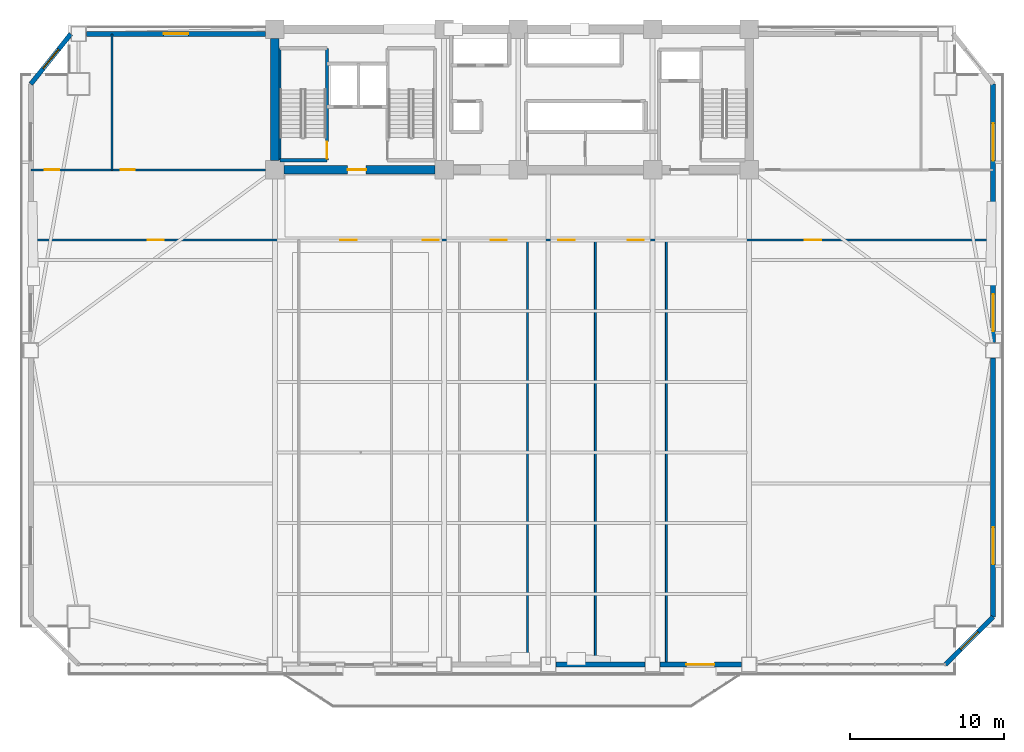
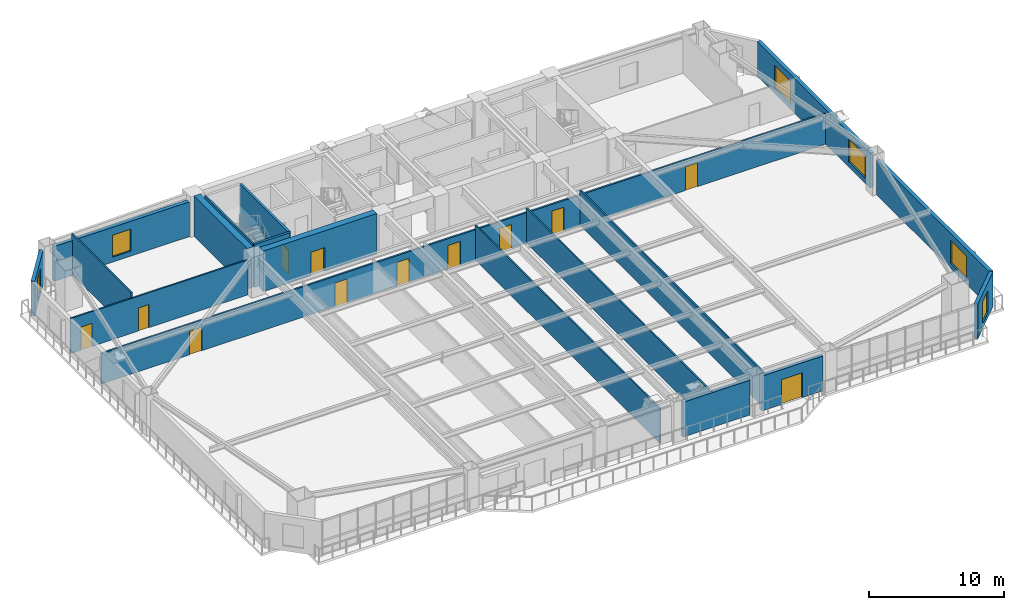
# One storey, part 8 of 16: 18 walls, 12 doors, 6 windows, 18 openings.
"""IFC4 building model written with IfcOpenShell, lengths in metres."""

from ifc_helpers import new_model, si_unit, direction, frame, frame_2d, origin, place, context, subcontext, project, spatial, rectangle, extrude, source, transform, mapped, material, layer, layer_set, type_object, element, fill, save


model = new_model("IFC4")

# Units and contexts
model_context = context("Model", 3, precision=1e-05, world=origin(), true_north=direction((0.0, 1.0)))
body_context = subcontext(model_context, "Body", "Model", "MODEL_VIEW")
ifc_project = project(units=[si_unit("LENGTHUNIT", "METRE"), si_unit("AREAUNIT", "SQUARE_METRE"), si_unit("VOLUMEUNIT", "CUBIC_METRE"), si_unit("PLANEANGLEUNIT", "RADIAN"), si_unit("MASSUNIT", "GRAM", prefix="KILO")], contexts=[model_context])

# Site, building, storey
site_placement = place(None, origin())
site = spatial("IfcSite", under=ifc_project, at=site_placement, CompositionType="ELEMENT")
building_placement = place(site_placement, origin())
building = spatial("IfcBuilding", under=site, at=building_placement, Name="Giltprow Tower", CompositionType="ELEMENT")
storey_placement = place(building_placement, frame((0.0, 0.0, 79.60009765625)))
storey = spatial("IfcBuildingStorey", under=building, at=storey_placement, Name="L19", CompositionType="ELEMENT", Elevation=79.60009765625)

# Wall, opening, window
ifc_material_1 = material(Name="Precast concrete C40", Category="concrete")
ifc_layer_1 = layer(ifc_material_1, 0.300048828125, Name="Precast concrete C40")
ifc_layer_set_1 = layer_set([ifc_layer_1], Name="Precast concrete C40")
wall_type_1 = type_object("IfcWallType", Name="EW-NOTCH-CHAMFER-300", PredefinedType="SOLIDWALL", material=ifc_layer_set_1)
wall_1_placement = place(storey_placement, frame((63.264892578125, 5.408935546875, 0.0), z_axis=(0.0, 0.0, 1.0), x_axis=(0.707134660098, 0.707078901175, 0.0)))
wall_1 = element("IfcWall", 1, at=wall_1_placement, inside=storey, type_object=wall_type_1, Name="L19 Corner Notch Wall SE", PredefinedType="SOLIDWALL", context=body_context, shape_type="SweptSolid", body=[
    extrude(rectangle(XDim=4.37841796875, YDim=0.300048828125, at=frame_2d((2.189208984375, 0.0))), origin(), (0.0, 0.0, 1.0), 3.159912109375),
])
opening_1_placement = place(wall_1_placement, frame((1.388916015625, 0.0, 0.449951171875)))
opening_1 = element("IfcOpeningElement", 2, at=opening_1_placement, cuts=wall_1, Name="Opening WN17", PredefinedType="OPENING", context=body_context, shape_type="SweptSolid", body=[
    extrude(rectangle(XDim=1.60009765625, YDim=2.0, at=frame_2d((0.800048828125, 1.0))), frame((0.0, 0.159912109375, 0.0), z_axis=(0.0, -1.0, 0.0), x_axis=(1.0, 0.0, 0.0)), (0.0, 0.0, 1.0), 0.320068359375),
])
ifc_material_2 = material(Name="Insulated glass", Category="glass")
window_type_1 = type_object("IfcWindowType", Name="WN-COR-1600x2000", PartitioningType="SINGLE_PANEL", PredefinedType="WINDOW", material=ifc_material_2)
shared_shape_1 = source(origin(), body_context, "Body", "SweptSolid", [
    extrude(rectangle(XDim=1.60009765625, YDim=2.0, at=frame_2d((0.800048828125, 1.0))), frame((0.0, 0.030029296875, 0.0), z_axis=(0.0, -1.0, 0.0), x_axis=(1.0, 0.0, 0.0)), (0.0, 0.0, 1.0), 0.06005859375),
])
window_1_placement = place(opening_1_placement, origin())
window_1 = element("IfcWindow", 3, at=window_1_placement, inside=storey, type_object=window_type_1, Name="L19 Corner Notch Window SE", OverallHeight=2.0, OverallWidth=1.60009765625, PartitioningType="SINGLE_PANEL", PredefinedType="WINDOW", context=body_context, shape_type="MappedRepresentation", body=[
    mapped(shared_shape_1, transform((0.0, 0.0, 0.0), x_axis=(1.0, 0.0, 0.0), y_axis=(0.0, 1.0, 0.0), z_axis=(0.0, 0.0, 1.0), scale=1.0)),
])
fill(opening_1, window_1)

wall_2_placement = place(storey_placement, frame((6.635986328125, 46.25, 0.0), z_axis=(0.0, 0.0, 1.0), x_axis=(-0.624558938305, -0.780977677391, 0.0)))
wall_2 = element("IfcWall", 4, at=wall_2_placement, inside=storey, type_object=wall_type_1, Name="L19 Corner Notch Wall NW", PredefinedType="SOLIDWALL", context=body_context, shape_type="SweptSolid", body=[
    extrude(rectangle(XDim=4.156494140625, YDim=0.300048828125, at=frame_2d((2.078125, 0.0))), origin(), (0.0, 0.0, 1.0), 3.159912109375),
])
opening_2_placement = place(wall_2_placement, frame((1.278076171875, 0.0, 0.449951171875)))
opening_2 = element("IfcOpeningElement", 5, at=opening_2_placement, cuts=wall_2, Name="Opening WN17", PredefinedType="OPENING", context=body_context, shape_type="SweptSolid", body=[
    extrude(rectangle(XDim=1.60009765625, YDim=2.0, at=frame_2d((0.800048828125, 1.0))), frame((0.0, 0.159912109375, 0.0), z_axis=(0.0, -1.0, 0.0), x_axis=(1.0, 0.0, 0.0)), (0.0, 0.0, 1.0), 0.320068359375),
])
window_2_placement = place(opening_2_placement, origin())
window_2 = element("IfcWindow", 6, at=window_2_placement, inside=storey, type_object=window_type_1, Name="L19 Corner Notch Window NW", OverallHeight=2.0, OverallWidth=1.60009765625, PartitioningType="SINGLE_PANEL", PredefinedType="WINDOW", context=body_context, shape_type="MappedRepresentation", body=[
    mapped(shared_shape_1, transform((0.0, 0.0, 0.0), x_axis=(1.0, 0.0, 0.0), y_axis=(0.0, 1.0, 0.0), z_axis=(0.0, 0.0, 1.0), scale=1.0)),
])
fill(opening_2, window_2)

# Wall
ifc_layer_2 = layer(ifc_material_1, 0.320068359375, Name="Precast concrete C40")
ifc_layer_set_2 = layer_set([ifc_layer_2], Name="Precast concrete C40")
wall_type_2 = type_object("IfcWallType", Name="EW-TOW-STONE-320", PredefinedType="SOLIDWALL", material=ifc_layer_set_2)
wall_3_placement = place(storey_placement, frame((38.050048828125, 5.408935546875, 0.0), z_axis=(0.0, 0.0, 1.0), x_axis=(1.0, 0.0, 0.0)))
element("IfcWall", 7, at=wall_3_placement, inside=storey, type_object=wall_type_2, Name="L19 South Expressed Frame Wall 4", PredefinedType="SOLIDWALL", context=body_context, shape_type="SweptSolid", body=[
    extrude(rectangle(XDim=5.75, YDim=0.320068359375, at=frame_2d((2.875, 0.0))), origin(), (0.0, 0.0, 1.0), 3.159912109375),
])

# Wall, opening, door
wall_4_placement = place(storey_placement, frame((44.800048828125, 5.408935546875, 0.0), z_axis=(0.0, 0.0, 1.0), x_axis=(1.0, 0.0, 0.0)))
wall_4 = element("IfcWall", 8, at=wall_4_placement, inside=storey, type_object=wall_type_2, Name="L19 South Expressed Frame Wall 5", PredefinedType="SOLIDWALL", context=body_context, shape_type="SweptSolid", body=[
    extrude(rectangle(XDim=5.25, YDim=0.320068359375, at=frame_2d((2.625, 0.0))), origin(), (0.0, 0.0, 1.0), 3.159912109375),
])
opening_3_placement = place(wall_4_placement, frame((1.699951171875, 0.0, 0.0)))
opening_3 = element("IfcOpeningElement", 9, at=opening_3_placement, cuts=wall_4, Name="Opening ED25", PredefinedType="OPENING", context=body_context, shape_type="SweptSolid", body=[
    extrude(rectangle(XDim=1.800048828125, YDim=2.25, at=frame_2d((0.89990234375, 1.125))), frame((0.0, 0.169921875, 0.0), z_axis=(0.0, -1.0, 0.0), x_axis=(1.0, 0.0, 0.0)), (0.0, 0.0, 1.0), 0.340087890625),
])
ifc_material_3 = material(Name="Anodized bronze and glass", Category="glass")
door_type_1 = type_object("IfcDoorType", Name="DR-BALC-SLIDE-1800", OperationType="SLIDING_TO_LEFT", PredefinedType="DOOR", material=ifc_material_3)
shared_shape_2 = source(origin(), body_context, "Body", "SweptSolid", [
    extrude(rectangle(XDim=1.800048828125, YDim=2.25, at=frame_2d((0.89990234375, 1.125))), frame((0.0, 0.02490234375, 0.0), z_axis=(0.0, -1.0, 0.0), x_axis=(1.0, 0.0, 0.0)), (0.0, 0.0, 1.0), 0.050048828125),
])
door_1_placement = place(opening_3_placement, origin())
door_1 = element("IfcDoor", 10, at=door_1_placement, inside=storey, type_object=door_type_1, Name="L19 Waterfront Balcony Sliding Door 2", OperationType="SLIDING_TO_LEFT", OverallHeight=2.25, OverallWidth=1.800048828125, PredefinedType="DOOR", context=body_context, shape_type="MappedRepresentation", body=[
    mapped(shared_shape_2, transform((0.0, 0.0, 0.0), x_axis=(1.0, 0.0, 0.0), y_axis=(0.0, 1.0, 0.0), z_axis=(0.0, 0.0, 1.0), scale=1.0)),
])
fill(opening_3, door_1)

# Wall, opening, window
wall_5_placement = place(storey_placement, frame((66.361083984375, 8.5048828125, 0.0), z_axis=(0.0, 0.0, 1.0), x_axis=(0.0, 1.0, 0.0)))
wall_5 = element("IfcWall", 11, at=wall_5_placement, inside=storey, type_object=wall_type_2, Name="L19 E Wing Masonry Wall 1", PredefinedType="SOLIDWALL", context=body_context, shape_type="SweptSolid", body=[
    extrude(rectangle(XDim=16.75, YDim=0.320068359375, at=frame_2d((8.375, 0.0))), origin(), (0.0, 0.0, 1.0), 3.159912109375),
])
opening_4_placement = place(wall_5_placement, frame((3.39501953125, 0.0, 0.449951171875)))
opening_4 = element("IfcOpeningElement", 12, at=opening_4_placement, cuts=wall_5, Name="Opening WN29", PredefinedType="OPENING", context=body_context, shape_type="SweptSolid", body=[
    extrude(rectangle(XDim=2.39990234375, YDim=2.10009765625, at=frame_2d((1.199951171875, 1.050048828125))), frame((0.0, 0.169921875, 0.0), z_axis=(0.0, -1.0, 0.0), x_axis=(1.0, 0.0, 0.0)), (0.0, 0.0, 1.0), 0.340087890625),
])
window_type_2 = type_object("IfcWindowType", Name="WN-OFF-2400x2100", PartitioningType="DOUBLE_PANEL_VERTICAL", PredefinedType="WINDOW", material=ifc_material_2)
shared_shape_3 = source(origin(), body_context, "Body", "SweptSolid", [
    extrude(rectangle(XDim=2.39990234375, YDim=2.10009765625, at=frame_2d((1.199951171875, 1.050048828125))), frame((0.0, 0.030029296875, 0.0), z_axis=(0.0, -1.0, 0.0), x_axis=(1.0, 0.0, 0.0)), (0.0, 0.0, 1.0), 0.06005859375),
])
window_3_placement = place(opening_4_placement, origin())
window_3 = element("IfcWindow", 13, at=window_3_placement, inside=storey, type_object=window_type_2, Name="L19 E Wing Window 1-1A", OverallHeight=2.10009765625, OverallWidth=2.39990234375, PartitioningType="SINGLE_PANEL", PredefinedType="WINDOW", context=body_context, shape_type="MappedRepresentation", body=[
    mapped(shared_shape_3, transform((0.0, 0.0, 0.0), x_axis=(1.0, 0.0, 0.0), y_axis=(0.0, 1.0, 0.0), z_axis=(0.0, 0.0, 1.0), scale=1.0)),
])
fill(opening_4, window_3)

# Wall, openings, windows
wall_6_placement = place(storey_placement, frame((66.361083984375, 26.2548828125, 0.0), z_axis=(0.0, 0.0, 1.0), x_axis=(0.0, 1.0, 0.0)))
wall_6 = element("IfcWall", 14, at=wall_6_placement, inside=storey, type_object=wall_type_2, Name="L19 E Wing Masonry Wall 2", PredefinedType="SOLIDWALL", context=body_context, shape_type="SweptSolid", body=[
    extrude(rectangle(XDim=16.7490234375, YDim=0.320068359375, at=frame_2d((8.37451171875, 0.0))), origin(), (0.0, 0.0, 1.0), 3.159912109375),
])
opening_5_placement = place(wall_6_placement, frame((0.75, 0.0, 0.449951171875)))
opening_5 = element("IfcOpeningElement", 15, at=opening_5_placement, cuts=wall_6, Name="Opening WN29", PredefinedType="OPENING", context=body_context, shape_type="SweptSolid", body=[
    extrude(rectangle(XDim=2.39990234375, YDim=2.10009765625, at=frame_2d((1.199951171875, 1.050048828125))), frame((0.0, 0.169921875, 0.0), z_axis=(0.0, -1.0, 0.0), x_axis=(1.0, 0.0, 0.0)), (0.0, 0.0, 1.0), 0.340087890625),
])
opening_6_placement = place(wall_6_placement, frame((11.79296875, 0.0, 0.449951171875)))
opening_6 = element("IfcOpeningElement", 16, at=opening_6_placement, cuts=wall_6, Name="Opening WN29", PredefinedType="OPENING", context=body_context, shape_type="SweptSolid", body=[
    extrude(rectangle(XDim=2.39990234375, YDim=2.10009765625, at=frame_2d((1.199951171875, 1.050048828125))), frame((0.0, 0.169921875, 0.0), z_axis=(0.0, -1.0, 0.0), x_axis=(1.0, 0.0, 0.0)), (0.0, 0.0, 1.0), 0.340087890625),
])
window_4_placement = place(opening_5_placement, origin())
window_4 = element("IfcWindow", 17, at=window_4_placement, inside=storey, type_object=window_type_2, Name="L19 E Wing Window 2-1", OverallHeight=2.10009765625, OverallWidth=2.39990234375, PartitioningType="SINGLE_PANEL", PredefinedType="WINDOW", context=body_context, shape_type="MappedRepresentation", body=[
    mapped(shared_shape_3, transform((0.0, 0.0, 0.0), x_axis=(1.0, 0.0, 0.0), y_axis=(0.0, 1.0, 0.0), z_axis=(0.0, 0.0, 1.0), scale=1.0)),
])
fill(opening_5, window_4)
window_5_placement = place(opening_6_placement, origin())
window_5 = element("IfcWindow", 18, at=window_5_placement, inside=storey, type_object=window_type_2, Name="L19 E Wing Window 2-2", OverallHeight=2.10009765625, OverallWidth=2.39990234375, PartitioningType="SINGLE_PANEL", PredefinedType="WINDOW", context=body_context, shape_type="MappedRepresentation", body=[
    mapped(shared_shape_3, transform((0.0, 0.0, 0.0), x_axis=(1.0, 0.0, 0.0), y_axis=(0.0, 1.0, 0.0), z_axis=(0.0, 0.0, 1.0), scale=1.0)),
])
fill(opening_6, window_5)

# Wall, opening, window
wall_7_placement = place(storey_placement, frame((7.635986328125, 46.25, 0.0), z_axis=(0.0, 0.0, 1.0), x_axis=(1.0, 0.0, 0.0)))
wall_7 = element("IfcWall", 19, at=wall_7_placement, inside=storey, type_object=wall_type_2, Name="L19 North-West Wing Wall", PredefinedType="SOLIDWALL", context=body_context, shape_type="SweptSolid", body=[
    extrude(rectangle(XDim=11.614013671875, YDim=0.320068359375, at=frame_2d((5.80712890625, 0.0))), origin(), (0.0, 0.0, 1.0), 3.159912109375),
])
opening_7_placement = place(wall_7_placement, frame((5.007080078125, 0.0, 0.449951171875)))
opening_7 = element("IfcOpeningElement", 20, at=opening_7_placement, cuts=wall_7, Name="Opening WN17", PredefinedType="OPENING", context=body_context, shape_type="SweptSolid", body=[
    extrude(rectangle(XDim=1.60009765625, YDim=2.0, at=frame_2d((0.800048828125, 1.0))), frame((0.0, 0.169921875, 0.0), z_axis=(0.0, -1.0, 0.0), x_axis=(1.0, 0.0, 0.0)), (0.0, 0.0, 1.0), 0.340087890625),
])
window_6_placement = place(opening_7_placement, origin())
window_6 = element("IfcWindow", 21, at=window_6_placement, inside=storey, type_object=window_type_1, Name="L19 North-West Window", OverallHeight=2.0, OverallWidth=1.60009765625, PartitioningType="SINGLE_PANEL", PredefinedType="WINDOW", context=body_context, shape_type="MappedRepresentation", body=[
    mapped(shared_shape_1, transform((0.0, 0.0, 0.0), x_axis=(1.0, 0.0, 0.0), y_axis=(0.0, 1.0, 0.0), z_axis=(0.0, 0.0, 1.0), scale=1.0)),
])
fill(opening_7, window_6)

# Wall, openings, doors
ifc_material_4 = material(Name="Gypsum stud partition", Category="gypsum")
ifc_layer_3 = layer(ifc_material_4, 0.14990234375, Name="Gypsum stud partition")
ifc_layer_set_3 = layer_set([ifc_layer_3], Name="Gypsum stud partition")
wall_type_3 = type_object("IfcWallType", Name="IW-CORR-150", PredefinedType="PARTITIONING", material=ifc_layer_set_3)
wall_8_placement = place(storey_placement, frame((4.0400390625, 32.89990234375, 0.0), z_axis=(0.0, 0.0, 1.0), x_axis=(1.0, 0.0, 0.0)))
wall_8 = element("IfcWall", 22, at=wall_8_placement, inside=storey, type_object=wall_type_3, Name="L19 Office Loop Corridor Wall", PredefinedType="PARTITIONING", context=body_context, shape_type="SweptSolid", body=[
    extrude(rectangle(XDim=62.321044921875, YDim=0.14990234375, at=frame_2d((31.16064453125, 0.0))), origin(), (0.0, 0.0, 1.0), 2.764892578125),
])
opening_8_placement = place(wall_8_placement, frame((7.570068359375, 0.0, 0.0)))
opening_8 = element("IfcOpeningElement", 23, at=opening_8_placement, cuts=wall_8, Name="Opening ID31", PredefinedType="OPENING", context=body_context, shape_type="SweptSolid", body=[
    extrude(rectangle(XDim=1.050048828125, YDim=2.14990234375, at=frame_2d((0.52490234375, 1.074951171875))), frame((0.0, 0.0849609375, 0.0), z_axis=(0.0, -1.0, 0.0), x_axis=(1.0, 0.0, 0.0)), (0.0, 0.0, 1.0), 0.169921875),
])
opening_9_placement = place(wall_8_placement, frame((20.04296875, 0.0, 0.0)))
opening_9 = element("IfcOpeningElement", 24, at=opening_9_placement, cuts=wall_8, Name="Opening ID31", PredefinedType="OPENING", context=body_context, shape_type="SweptSolid", body=[
    extrude(rectangle(XDim=1.050048828125, YDim=2.14990234375, at=frame_2d((0.52490234375, 1.074951171875))), frame((0.0, 0.0849609375, 0.0), z_axis=(0.0, -1.0, 0.0), x_axis=(1.0, 0.0, 0.0)), (0.0, 0.0, 1.0), 0.169921875),
])
opening_10_placement = place(wall_8_placement, frame((25.37109375, 0.0, 0.0)))
opening_10 = element("IfcOpeningElement", 25, at=opening_10_placement, cuts=wall_8, Name="Opening ID31", PredefinedType="OPENING", context=body_context, shape_type="SweptSolid", body=[
    extrude(rectangle(XDim=1.050048828125, YDim=2.14990234375, at=frame_2d((0.52490234375, 1.074951171875))), frame((0.0, 0.0849609375, 0.0), z_axis=(0.0, -1.0, 0.0), x_axis=(1.0, 0.0, 0.0)), (0.0, 0.0, 1.0), 0.169921875),
])
opening_11_placement = place(wall_8_placement, frame((29.77099609375, 0.0, 0.0)))
opening_11 = element("IfcOpeningElement", 26, at=opening_11_placement, cuts=wall_8, Name="Opening ID31", PredefinedType="OPENING", context=body_context, shape_type="SweptSolid", body=[
    extrude(rectangle(XDim=1.050048828125, YDim=2.14990234375, at=frame_2d((0.52490234375, 1.074951171875))), frame((0.0, 0.0849609375, 0.0), z_axis=(0.0, -1.0, 0.0), x_axis=(1.0, 0.0, 0.0)), (0.0, 0.0, 1.0), 0.169921875),
])
opening_12_placement = place(wall_8_placement, frame((34.1708984375, 0.0, 0.0)))
opening_12 = element("IfcOpeningElement", 27, at=opening_12_placement, cuts=wall_8, Name="Opening ID31", PredefinedType="OPENING", context=body_context, shape_type="SweptSolid", body=[
    extrude(rectangle(XDim=1.050048828125, YDim=2.14990234375, at=frame_2d((0.52490234375, 1.074951171875))), frame((0.0, 0.0849609375, 0.0), z_axis=(0.0, -1.0, 0.0), x_axis=(1.0, 0.0, 0.0)), (0.0, 0.0, 1.0), 0.169921875),
])
opening_13_placement = place(wall_8_placement, frame((38.655029296875, 0.0, 0.0)))
opening_13 = element("IfcOpeningElement", 28, at=opening_13_placement, cuts=wall_8, Name="Opening ID31", PredefinedType="OPENING", context=body_context, shape_type="SweptSolid", body=[
    extrude(rectangle(XDim=1.050048828125, YDim=2.14990234375, at=frame_2d((0.52490234375, 1.074951171875))), frame((0.0, 0.0849609375, 0.0), z_axis=(0.0, -1.0, 0.0), x_axis=(1.0, 0.0, 0.0)), (0.0, 0.0, 1.0), 0.169921875),
])
opening_14_placement = place(wall_8_placement, frame((50.1259765625, 0.0, 0.0)))
opening_14 = element("IfcOpeningElement", 29, at=opening_14_placement, cuts=wall_8, Name="Opening ID31", PredefinedType="OPENING", context=body_context, shape_type="SweptSolid", body=[
    extrude(rectangle(XDim=1.050048828125, YDim=2.14990234375, at=frame_2d((0.52490234375, 1.074951171875))), frame((0.0, 0.0849609375, 0.0), z_axis=(0.0, -1.0, 0.0), x_axis=(1.0, 0.0, 0.0)), (0.0, 0.0, 1.0), 0.169921875),
])
ifc_material_5 = material(Name="Engineered timber", Category="wood")
door_type_2 = type_object("IfcDoorType", Name="DR-SUITE-1050", OperationType="SINGLE_SWING_LEFT", PredefinedType="DOOR", material=ifc_material_5)
shared_shape_4 = source(origin(), body_context, "Body", "SweptSolid", [
    extrude(rectangle(XDim=1.050048828125, YDim=2.14990234375, at=frame_2d((0.52490234375, 1.074951171875))), frame((0.0, 0.02490234375, 0.0), z_axis=(0.0, -1.0, 0.0), x_axis=(1.0, 0.0, 0.0)), (0.0, 0.0, 1.0), 0.050048828125),
])
door_2_placement = place(opening_8_placement, origin())
door_2 = element("IfcDoor", 30, at=door_2_placement, inside=storey, type_object=door_type_2, Name="L19 Board Meeting Room 1 Door", OperationType="SINGLE_SWING_RIGHT", OverallHeight=2.14990234375, OverallWidth=1.050048828125, PredefinedType="DOOR", context=body_context, shape_type="MappedRepresentation", body=[
    mapped(shared_shape_4, transform((0.0, 0.0, 0.0), x_axis=(1.0, 0.0, 0.0), y_axis=(0.0, 1.0, 0.0), z_axis=(0.0, 0.0, 1.0), scale=1.0)),
])
fill(opening_8, door_2)
door_3_placement = place(opening_9_placement, origin())
door_3 = element("IfcDoor", 31, at=door_3_placement, inside=storey, type_object=door_type_2, Name="L19 Committee Meeting Room 2 Door", OperationType="SINGLE_SWING_LEFT", OverallHeight=2.14990234375, OverallWidth=1.050048828125, PredefinedType="DOOR", context=body_context, shape_type="MappedRepresentation", body=[
    mapped(shared_shape_4, transform((0.0, 0.0, 0.0), x_axis=(1.0, 0.0, 0.0), y_axis=(0.0, 1.0, 0.0), z_axis=(0.0, 0.0, 1.0), scale=1.0)),
])
fill(opening_9, door_3)
door_4_placement = place(opening_10_placement, origin())
door_4 = element("IfcDoor", 32, at=door_4_placement, inside=storey, type_object=door_type_2, Name="L19 Arbitration Meeting Room 3 Door", OperationType="SINGLE_SWING_RIGHT", OverallHeight=2.14990234375, OverallWidth=1.050048828125, PredefinedType="DOOR", context=body_context, shape_type="MappedRepresentation", body=[
    mapped(shared_shape_4, transform((0.0, 0.0, 0.0), x_axis=(1.0, 0.0, 0.0), y_axis=(0.0, 1.0, 0.0), z_axis=(0.0, 0.0, 1.0), scale=1.0)),
])
fill(opening_10, door_4)
door_5_placement = place(opening_11_placement, origin())
door_5 = element("IfcDoor", 33, at=door_5_placement, inside=storey, type_object=door_type_2, Name="L19 Tribunal Meeting Room 4 Door", OperationType="SINGLE_SWING_LEFT", OverallHeight=2.14990234375, OverallWidth=1.050048828125, PredefinedType="DOOR", context=body_context, shape_type="MappedRepresentation", body=[
    mapped(shared_shape_4, transform((0.0, 0.0, 0.0), x_axis=(1.0, 0.0, 0.0), y_axis=(0.0, 1.0, 0.0), z_axis=(0.0, 0.0, 1.0), scale=1.0)),
])
fill(opening_11, door_5)
door_6_placement = place(opening_12_placement, origin())
door_6 = element("IfcDoor", 34, at=door_6_placement, inside=storey, type_object=door_type_2, Name="L19 Townhall Meeting Room 5 Door", OperationType="SINGLE_SWING_RIGHT", OverallHeight=2.14990234375, OverallWidth=1.050048828125, PredefinedType="DOOR", context=body_context, shape_type="MappedRepresentation", body=[
    mapped(shared_shape_4, transform((0.0, 0.0, 0.0), x_axis=(1.0, 0.0, 0.0), y_axis=(0.0, 1.0, 0.0), z_axis=(0.0, 0.0, 1.0), scale=1.0)),
])
fill(opening_12, door_6)
door_7_placement = place(opening_13_placement, origin())
door_7 = element("IfcDoor", 35, at=door_7_placement, inside=storey, type_object=door_type_2, Name="L19 Briefing Meeting Room 6 Door", OperationType="SINGLE_SWING_LEFT", OverallHeight=2.14990234375, OverallWidth=1.050048828125, PredefinedType="DOOR", context=body_context, shape_type="MappedRepresentation", body=[
    mapped(shared_shape_4, transform((0.0, 0.0, 0.0), x_axis=(1.0, 0.0, 0.0), y_axis=(0.0, 1.0, 0.0), z_axis=(0.0, 0.0, 1.0), scale=1.0)),
])
fill(opening_13, door_7)
door_8_placement = place(opening_14_placement, origin())
door_8 = element("IfcDoor", 36, at=door_8_placement, inside=storey, type_object=door_type_2, Name="L19 Executive Office Door", OperationType="SINGLE_SWING_RIGHT", OverallHeight=2.14990234375, OverallWidth=1.050048828125, PredefinedType="DOOR", context=body_context, shape_type="MappedRepresentation", body=[
    mapped(shared_shape_4, transform((0.0, 0.0, 0.0), x_axis=(1.0, 0.0, 0.0), y_axis=(0.0, 1.0, 0.0), z_axis=(0.0, 0.0, 1.0), scale=1.0)),
])
fill(opening_14, door_8)

# Walls
ifc_layer_4 = layer(ifc_material_4, 0.1201171875, Name="Gypsum stud partition")
ifc_layer_set_4 = layer_set([ifc_layer_4], Name="Gypsum stud partition")
wall_type_4 = type_object("IfcWallType", Name="IW-ROOM-120", PredefinedType="PARTITIONING", material=ifc_layer_set_4)
for number, where, z_axis, x_axis, name in (
    (37, (36.199951171875, 5.408935546875, 0.0), (0.0, 0.0, 1.0), (0.0, 1.0, 0.0), "L19 Office Partition 4"),
    (38, (40.60009765625, 5.408935546875, 0.0), (0.0, 0.0, 1.0), (0.0, 1.0, 0.0), "L19 Office Partition 5"),
    (39, (45.199951171875, 5.408935546875, 0.0), (0.0, 0.0, 1.0), (0.0, 1.0, 0.0), "L19 Office Partition 6"),
):
    element("IfcWall", number, at=place(storey_placement, frame(where, z_axis=z_axis, x_axis=x_axis)), inside=storey, type_object=wall_type_4, Name=name, PredefinedType="PARTITIONING", context=body_context, shape_type="SweptSolid", body=[
        extrude(rectangle(XDim=27.490966796875, YDim=0.1201171875, at=frame_2d((13.74560546875, 0.0))), origin(), (0.0, 0.0, 1.0), 3.164794921875),
    ])
ifc_material_6 = material(Name="Concrete C45", Category="concrete")
ifc_layer_5 = layer(ifc_material_6, 0.139892578125, Name="Concrete C45")
ifc_layer_set_5 = layer_set([ifc_layer_5], Name="Concrete C45")
wall_type_5 = type_object("IfcWallType", Name="IW-STAIR-140", PredefinedType="SOLIDWALL", material=ifc_layer_set_5)
wall_9_placement = place(storey_placement, frame((20.169921875, 38.070068359375, 0.0), z_axis=(0.0, 0.0, 1.0), x_axis=(0.0, 1.0, 0.0)))
element("IfcWall", 40, at=wall_9_placement, inside=storey, type_object=wall_type_5, Name="L19 Stair ST-1 West Bearing Wall", PredefinedType="SOLIDWALL", context=body_context, shape_type="SweptSolid", body=[
    extrude(rectangle(XDim=7.25, YDim=0.139892578125, at=frame_2d((3.625, 0.0))), origin(), (0.0, 0.0, 1.0), 3.89990234375),
])

# Wall, opening, door
ifc_material_7 = material(Name="Concrete C40", Category="concrete")
ifc_layer_6 = layer(ifc_material_7, 0.199951171875, Name="Concrete C40")
ifc_layer_set_6 = layer_set([ifc_layer_6], Name="Concrete C40")
wall_type_6 = type_object("IfcWallType", Name="IW-STAIR-200", PredefinedType="SOLIDWALL", material=ifc_layer_set_6)
wall_10_placement = place(storey_placement, frame((23.219970703125, 38.070068359375, 0.0), z_axis=(0.0, 0.0, 1.0), x_axis=(0.0, 1.0, 0.0)))
wall_10 = element("IfcWall", 41, at=wall_10_placement, inside=storey, type_object=wall_type_6, Name="L19 Stair ST-1 East Bearing Wall", PredefinedType="SOLIDWALL", context=body_context, shape_type="SweptSolid", body=[
    extrude(rectangle(XDim=7.25, YDim=0.199951171875, at=frame_2d((3.625, 0.0))), origin(), (0.0, 0.0, 1.0), 3.89990234375),
])
opening_15_placement = place(wall_10_placement, frame((0.110107421875, 0.0, 0.0)))
opening_15 = element("IfcOpeningElement", 42, at=opening_15_placement, cuts=wall_10, Name="Opening ID33", PredefinedType="OPENING", context=body_context, shape_type="SweptSolid", body=[
    extrude(rectangle(XDim=1.10009765625, YDim=2.14990234375, at=frame_2d((0.550048828125, 1.074951171875))), frame((0.0, 0.10986328125, 0.0), z_axis=(0.0, -1.0, 0.0), x_axis=(1.0, 0.0, 0.0)), (0.0, 0.0, 1.0), 0.219970703125),
])
ifc_material_8 = material(Name="Steel fire leaf", Category="steel")
door_type_3 = type_object("IfcDoorType", Name="DR-STAIR-1100", OperationType="SINGLE_SWING_LEFT", PredefinedType="DOOR", material=ifc_material_8)
shared_shape_5 = source(origin(), body_context, "Body", "SweptSolid", [
    extrude(rectangle(XDim=1.10009765625, YDim=2.14990234375, at=frame_2d((0.550048828125, 1.074951171875))), frame((0.0, 0.02490234375, 0.0), z_axis=(0.0, -1.0, 0.0), x_axis=(1.0, 0.0, 0.0)), (0.0, 0.0, 1.0), 0.050048828125),
])
door_9_placement = place(opening_15_placement, origin())
door_9 = element("IfcDoor", 43, at=door_9_placement, inside=storey, type_object=door_type_3, Name="L19 Stair ST-1 Fire Door", OperationType="SINGLE_SWING_LEFT", OverallHeight=2.14990234375, OverallWidth=1.10009765625, PredefinedType="DOOR", context=body_context, shape_type="MappedRepresentation", body=[
    mapped(shared_shape_5, transform((0.0, 0.0, 0.0), x_axis=(1.0, 0.0, 0.0), y_axis=(0.0, 1.0, 0.0), z_axis=(0.0, 0.0, 1.0), scale=1.0)),
])
fill(opening_15, door_9)

# Wall
wall_11_placement = place(storey_placement, frame((20.169921875, 38.070068359375, 0.0), z_axis=(0.0, 0.0, 1.0), x_axis=(1.0, 0.0, 0.0)))
element("IfcWall", 44, at=wall_11_placement, inside=storey, type_object=wall_type_6, Name="L19 Stair ST-1 South Bearing Wall", PredefinedType="SOLIDWALL", context=body_context, shape_type="SweptSolid", body=[
    extrude(rectangle(XDim=3.050048828125, YDim=0.199951171875, at=frame_2d((1.52490234375, 0.0))), origin(), (0.0, 0.0, 1.0), 3.89990234375),
])

# Wall, openings, doors
ifc_material_9 = material(Name="Concrete C30", Category="concrete")
ifc_layer_7 = layer(ifc_material_9, 0.1298828125, Name="Concrete C30")
ifc_layer_set_7 = layer_set([ifc_layer_7], Name="Concrete C30")
wall_type_7 = type_object("IfcWallType", Name="IW-WET-130", PredefinedType="PARTITIONING", material=ifc_layer_set_7)
wall_12_placement = place(storey_placement, frame((4.0400390625, 37.449951171875, 0.0), z_axis=(0.0, 0.0, 1.0), x_axis=(1.0, 0.0, 0.0)))
wall_12 = element("IfcWall", 45, at=wall_12_placement, inside=storey, type_object=wall_type_7, Name="L19 NW Wing South Wall", PredefinedType="PARTITIONING", context=body_context, shape_type="SweptSolid", body=[
    extrude(rectangle(XDim=15.2099609375, YDim=0.1298828125, at=frame_2d((7.60498046875, 0.0))), origin(), (0.0, 0.0, 1.0), 3.164794921875),
])
opening_16_placement = place(wall_12_placement, frame((0.89990234375, 0.0, 0.0)))
opening_16 = element("IfcOpeningElement", 46, at=opening_16_placement, cuts=wall_12, Name="Opening ID11", PredefinedType="OPENING", context=body_context, shape_type="SweptSolid", body=[
    extrude(rectangle(XDim=0.949951171875, YDim=2.10009765625, at=frame_2d((0.47509765625, 1.050048828125))), frame((0.0, 0.074951171875, 0.0), z_axis=(0.0, -1.0, 0.0), x_axis=(1.0, 0.0, 0.0)), (0.0, 0.0, 1.0), 0.14990234375),
])
opening_17_placement = place(wall_12_placement, frame((5.819091796875, 0.0, 0.0)))
opening_17 = element("IfcOpeningElement", 47, at=opening_17_placement, cuts=wall_12, Name="Opening ID15", PredefinedType="OPENING", context=body_context, shape_type="SweptSolid", body=[
    extrude(rectangle(XDim=0.89990234375, YDim=2.10009765625, at=frame_2d((0.449951171875, 1.050048828125))), frame((0.0, 0.074951171875, 0.0), z_axis=(0.0, -1.0, 0.0), x_axis=(1.0, 0.0, 0.0)), (0.0, 0.0, 1.0), 0.14990234375),
])
door_type_4 = type_object("IfcDoorType", Name="DR-WC-900", OperationType="SINGLE_SWING_LEFT", PredefinedType="DOOR", material=ifc_material_5)
shared_shape_6 = source(origin(), body_context, "Body", "SweptSolid", [
    extrude(rectangle(XDim=0.89990234375, YDim=2.10009765625, at=frame_2d((0.449951171875, 1.050048828125))), frame((0.0, 0.02490234375, 0.0), z_axis=(0.0, -1.0, 0.0), x_axis=(1.0, 0.0, 0.0)), (0.0, 0.0, 1.0), 0.050048828125),
])
door_10_placement = place(opening_17_placement, origin())
door_10 = element("IfcDoor", 48, at=door_10_placement, inside=storey, type_object=door_type_4, Name="L19 NW Washroom Door", OperationType="SINGLE_SWING_RIGHT", OverallHeight=2.10009765625, OverallWidth=0.89990234375, PredefinedType="DOOR", context=body_context, shape_type="MappedRepresentation", body=[
    mapped(shared_shape_6, transform((0.0, 0.0, 0.0), x_axis=(1.0, 0.0, 0.0), y_axis=(0.0, 1.0, 0.0), z_axis=(0.0, 0.0, 1.0), scale=1.0)),
])
fill(opening_17, door_10)
door_type_5 = type_object("IfcDoorType", Name="DR-ROOM-950", OperationType="SINGLE_SWING_RIGHT", PredefinedType="DOOR", material=ifc_material_5)
shared_shape_7 = source(origin(), body_context, "Body", "SweptSolid", [
    extrude(rectangle(XDim=0.949951171875, YDim=2.10009765625, at=frame_2d((0.47509765625, 1.050048828125))), frame((0.0, 0.02490234375, 0.0), z_axis=(0.0, -1.0, 0.0), x_axis=(1.0, 0.0, 0.0)), (0.0, 0.0, 1.0), 0.050048828125),
])
door_11_placement = place(opening_16_placement, origin())
door_11 = element("IfcDoor", 49, at=door_11_placement, inside=storey, type_object=door_type_5, Name="L19 West Tenant Office West Door", OperationType="SINGLE_SWING_LEFT", OverallHeight=2.10009765625, OverallWidth=0.949951171875, PredefinedType="DOOR", context=body_context, shape_type="MappedRepresentation", body=[
    mapped(shared_shape_7, transform((0.0, 0.0, 0.0), x_axis=(1.0, 0.0, 0.0), y_axis=(0.0, 1.0, 0.0), z_axis=(0.0, 0.0, 1.0), scale=1.0)),
])
fill(opening_16, door_11)

# Wall
wall_13_placement = place(storey_placement, frame((9.30908203125, 37.449951171875, 0.0), z_axis=(0.0, 0.0, 1.0), x_axis=(0.0, 1.0, 0.0)))
element("IfcWall", 50, at=wall_13_placement, inside=storey, type_object=wall_type_7, Name="L19 NW Wing Divider", PredefinedType="PARTITIONING", context=body_context, shape_type="SweptSolid", body=[
    extrude(rectangle(XDim=8.800048828125, YDim=0.1298828125, at=frame_2d((4.39990234375, 0.0))), origin(), (0.0, 0.0, 1.0), 3.679931640625),
])

# Wall, opening, door
ifc_material_10 = material(Name="Concrete C60", Category="concrete")
ifc_layer_8 = layer(ifc_material_10, 0.550048828125, Name="Concrete C60")
ifc_layer_set_8 = layer_set([ifc_layer_8], Name="Concrete C60")
wall_type_8 = type_object("IfcWallType", Name="SW-INT-550-C60", PredefinedType="SHEAR", material=ifc_layer_set_8)
wall_14_placement = place(storey_placement, frame((20.449951171875, 37.449951171875, 0.0), z_axis=(0.0, 0.0, 1.0), x_axis=(1.0, 0.0, 0.0)))
wall_14 = element("IfcWall", 51, at=wall_14_placement, inside=storey, type_object=wall_type_8, Name="L19 South Rear Core Shear Wall West", PredefinedType="SHEAR", context=body_context, shape_type="SweptSolid", body=[
    extrude(rectangle(XDim=9.75, YDim=0.550048828125, at=frame_2d((4.875, 0.0))), origin(), (0.0, 0.0, 1.0), 3.679931640625),
])
opening_18_placement = place(wall_14_placement, frame((4.10009765625, 0.0, 0.0)))
opening_18 = element("IfcOpeningElement", 52, at=opening_18_placement, cuts=wall_14, Name="Opening ID19", PredefinedType="OPENING", context=body_context, shape_type="SweptSolid", body=[
    extrude(rectangle(XDim=1.199951171875, YDim=2.14990234375, at=frame_2d((0.60009765625, 1.074951171875))), frame((0.0, 0.284912109375, 0.0), z_axis=(0.0, -1.0, 0.0), x_axis=(1.0, 0.0, 0.0)), (0.0, 0.0, 1.0), 0.570068359375),
])
door_type_6 = type_object("IfcDoorType", Name="DR-FFLOBBY-1200", OperationType="SINGLE_SWING_RIGHT", PredefinedType="DOOR", material=ifc_material_8)
shared_shape_8 = source(origin(), body_context, "Body", "SweptSolid", [
    extrude(rectangle(XDim=1.199951171875, YDim=2.14990234375, at=frame_2d((0.60009765625, 1.074951171875))), frame((0.0, 0.02490234375, 0.0), z_axis=(0.0, -1.0, 0.0), x_axis=(1.0, 0.0, 0.0)), (0.0, 0.0, 1.0), 0.050048828125),
])
door_12_placement = place(opening_18_placement, origin())
door_12 = element("IfcDoor", 53, at=door_12_placement, inside=storey, type_object=door_type_6, Name="L19 West Firefighting Lobby Entry Door", OperationType="SINGLE_SWING_RIGHT", OverallHeight=2.14990234375, OverallWidth=1.199951171875, PredefinedType="DOOR", context=body_context, shape_type="MappedRepresentation", body=[
    mapped(shared_shape_8, transform((0.0, 0.0, 0.0), x_axis=(1.0, 0.0, 0.0), y_axis=(0.0, 1.0, 0.0), z_axis=(0.0, 0.0, 1.0), scale=1.0)),
])
fill(opening_18, door_12)

# Wall
wall_15_placement = place(storey_placement, frame((19.85009765625, 38.050048828125, 0.0), z_axis=(0.0, 0.0, 1.0), x_axis=(0.0, 1.0, 0.0)))
element("IfcWall", 54, at=wall_15_placement, inside=storey, type_object=wall_type_8, Name="L19 W Rear Core Shear Wall", PredefinedType="SHEAR", context=body_context, shape_type="SweptSolid", body=[
    extrude(rectangle(XDim=7.89990234375, YDim=0.550048828125, at=frame_2d((3.949951171875, 0.0))), origin(), (0.0, 0.0, 1.0), 3.679931640625),
])

save(model, "model.ifc")
